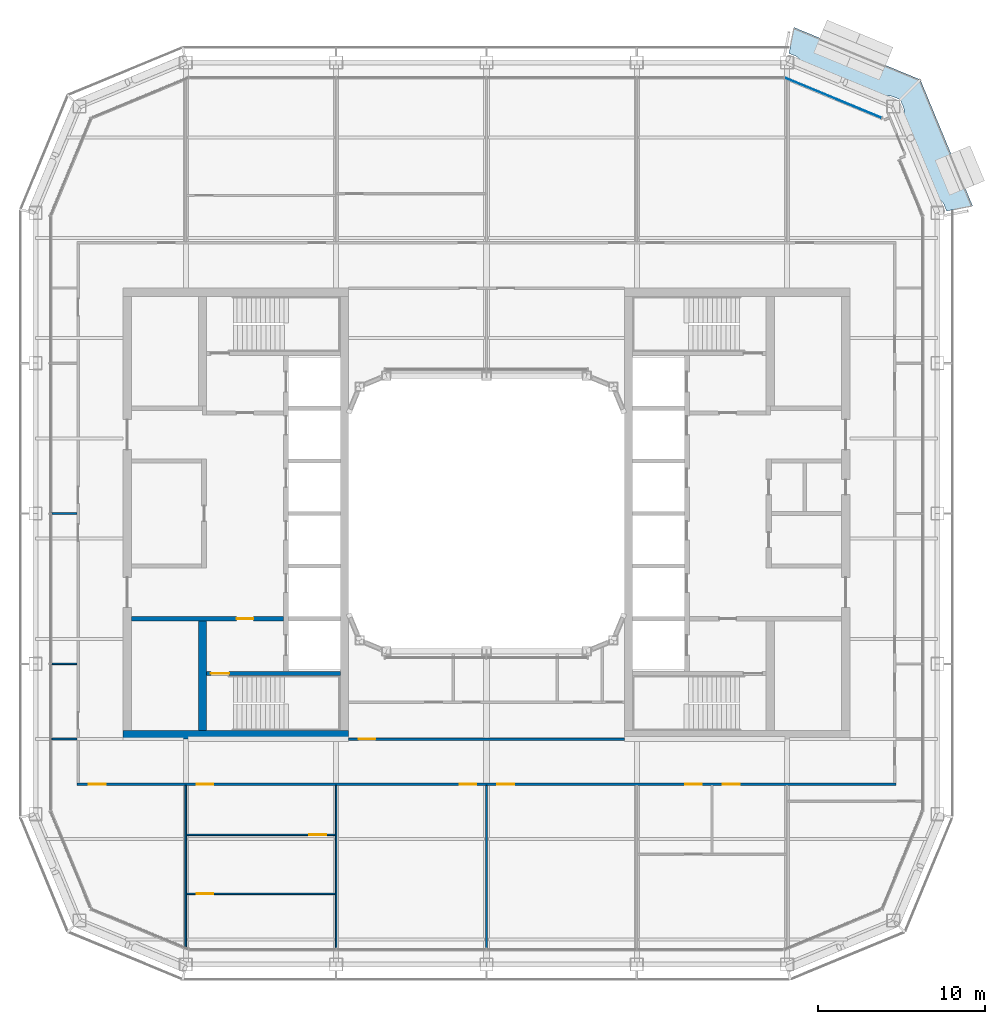
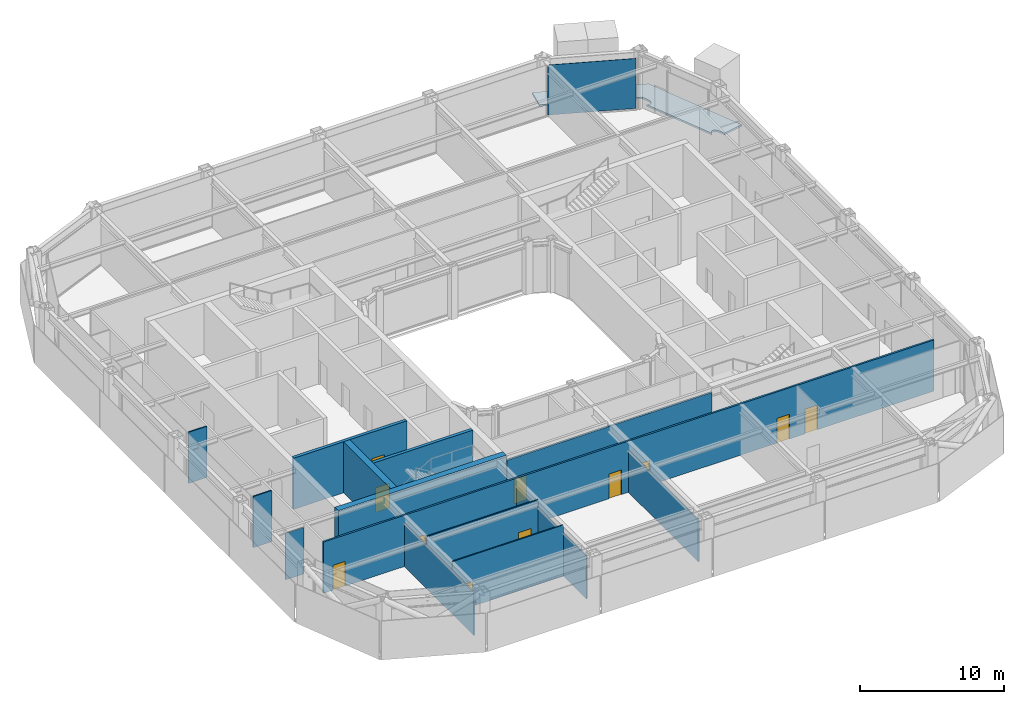
# One storey, part 12 of 23: 14 walls, 11 doors, 1 plate, 1 slab, 11 openings, 1 element without a shape of its own.
"""IFC4 building model written with IfcOpenShell, lengths in metres."""

from ifc_helpers import new_model, si_unit, direction, frame, frame_2d, origin, origin_2d, place, context, subcontext, project, spatial, polyline, rectangle, outline, extrude, material, layer, layer_set, type_object, element, fill, aggregate, save


model = new_model("IFC4")

# Units and contexts
model_context = context("Model", 3, precision=1e-05, world=origin(), true_north=direction((0.0, 1.0)))
body_context = subcontext(model_context, "Body", "Model", "MODEL_VIEW")
ifc_project = project(units=[si_unit("LENGTHUNIT", "METRE"), si_unit("AREAUNIT", "SQUARE_METRE"), si_unit("VOLUMEUNIT", "CUBIC_METRE"), si_unit("PLANEANGLEUNIT", "RADIAN"), si_unit("MASSUNIT", "GRAM", prefix="KILO")], contexts=[model_context])

# Site, building, storey
site_placement = place(None, origin())
site = spatial("IfcSite", under=ifc_project, at=site_placement, CompositionType="ELEMENT")
building_placement = place(site_placement, origin())
building = spatial("IfcBuilding", under=site, at=building_placement, Name="Siwar Civic Tower", CompositionType="ELEMENT")
storey_placement = place(building_placement, frame((0.0, 0.0, 260.199951171875)))
storey = spatial("IfcBuildingStorey", under=building, at=storey_placement, Name="L56", CompositionType="ELEMENT", Elevation=260.199951171875)

# Slab
ifc_material_1 = material(Name="Concrete C40/50", Category="concrete")
ifc_layer_1 = layer(ifc_material_1, 0.14990234375)
ifc_layer_set_1 = layer_set([ifc_layer_1], Name="Concrete C40/50")
slab_type = type_object("IfcSlabType", Name="ENV-BALCONY DECK 150", PredefinedType="FLOOR", material=ifc_layer_set_1)
slab_placement = place(storey_placement, frame((0.0, 0.0, -0.1494140625)))
element("IfcSlab", 1, at=slab_placement, inside=storey, type_object=slab_type, Name="Tree balcony deck NE", PredefinedType="FLOOR", context=body_context, shape_type="SweptSolid", body=[
    extrude(outline(polyline([(24.82080078125, 24.657470703125), (24.82080078125, 24.657470703125), (24.82421875, 24.649658203125), (24.924560546875, 24.40869140625), (24.94384765625, 24.362060546875), (24.94482421875, 24.35986328125), (24.96533203125, 24.305419921875), (24.967041015625, 24.300537109375), (24.98388671875, 24.244873046875), (24.985595703125, 24.238037109375), (24.99560546875, 24.189208984375), (24.99658203125, 24.183837890625), (25.002685546875, 24.13427734375), (25.003173828125, 24.12890625), (25.006103515625, 24.0791015625), (25.006103515625, 24.073974609375), (25.005615234375, 24.024169921875), (25.00537109375, 24.0185546875), (25.004638671875, 24.0126953125), (24.99755859375, 23.970947265625), (24.995849609375, 23.96337890625), (24.993408203125, 23.9560546875), (24.98046875, 23.922607421875), (24.978271484375, 23.91748046875), (24.962646484375, 23.88525390625), (24.96044921875, 23.880615234375), (24.942626953125, 23.849365234375), (24.93896484375, 23.84326171875), (24.9345703125, 23.837646484375), (24.9296875, 23.83251953125), (24.906982421875, 23.810546875), (24.900634765625, 23.804931640625), (24.8935546875, 23.80029296875), (24.885986328125, 23.796142578125), (24.85888671875, 23.78369140625), (24.85400390625, 23.78173828125), (24.826171875, 23.771240234375), (24.818115234375, 23.768798828125), (24.8095703125, 23.76708984375), (24.80126953125, 23.7666015625), (24.769775390625, 23.765869140625), (24.762451171875, 23.76611328125), (24.75537109375, 23.766845703125), (24.74853515625, 23.7685546875), (24.7138671875, 23.77783203125), (24.708984375, 23.779541015625), (24.675048828125, 23.791259765625), (24.669921875, 23.793212890625), (24.636962890625, 23.8076171875), (24.630126953125, 23.81103515625), (24.62353515625, 23.815185546875), (24.5888671875, 23.839599609375), (24.58447265625, 23.84326171875), (24.580078125, 23.846923828125), (24.57666015625, 23.85009765625), (26.77978515625, 18.531494140625), (26.7802734375, 18.5654296875), (26.780517578125, 18.5712890625), (26.78125, 18.576904296875), (26.788330078125, 18.61865234375), (26.789794921875, 18.626220703125), (26.792236328125, 18.633544921875), (26.805419921875, 18.6669921875), (26.8076171875, 18.672119140625), (26.822998046875, 18.70458984375), (26.825439453125, 18.709228515625), (26.84326171875, 18.740234375), (26.846923828125, 18.746337890625), (26.851318359375, 18.751953125), (26.856201171875, 18.75732421875), (26.87890625, 18.779052734375), (26.88525390625, 18.78466796875), (26.892333984375, 18.78955078125), (26.899658203125, 18.79345703125), (26.927001953125, 18.805908203125), (26.931884765625, 18.80810546875), (26.959716796875, 18.818603515625), (26.9677734375, 18.821044921875), (26.97607421875, 18.82275390625), (26.984619140625, 18.8232421875), (27.01611328125, 18.823974609375), (27.023193359375, 18.82373046875), (27.0302734375, 18.82275390625), (27.037353515625, 18.8212890625), (27.072021484375, 18.811767578125), (27.076904296875, 18.810302734375), (27.11083984375, 18.79833984375), (27.115966796875, 18.79638671875), (27.14892578125, 18.7822265625), (27.15576171875, 18.77880859375), (27.162353515625, 18.774658203125), (27.197021484375, 18.75), (27.201416015625, 18.74658203125), (27.205810546875, 18.74267578125), (27.241455078125, 18.7080078125), (27.2451171875, 18.704345703125), (27.278564453125, 18.667236328125), (27.281982421875, 18.663330078125), (27.312744140625, 18.623779296875), (27.31591796875, 18.619384765625), (27.343505859375, 18.577880859375), (27.34716796875, 18.57177734375), (27.374755859375, 18.520751953125), (27.377197265625, 18.51611328125), (27.4013671875, 18.463134765625), (27.40234375, 18.4609375), (27.405517578125, 18.453125), (27.425048828125, 18.406494140625), (27.522216796875, 18.17333984375), (27.525390625, 18.16552734375), (27.525390625, 18.16552734375), (27.52783203125, 18.15869140625), (27.533935546875, 18.13916015625), (27.53564453125, 18.13232421875), (27.53662109375, 18.12548828125), (27.538818359375, 18.107177734375), (29.10009765625, 18.417724609375), (25.97119140625, 25.97119140625), (18.417724609375, 29.10009765625), (18.106689453125, 27.5361328125), (18.107421875, 27.5361328125), (18.1240234375, 27.535400390625), (18.1328125, 27.53466796875), (18.141357421875, 27.53271484375), (18.156982421875, 27.5283203125), (18.16552734375, 27.525390625), (18.170166015625, 27.5234375), (18.17333984375, 27.522216796875), (18.18896484375, 27.515625), (18.227783203125, 27.49951171875), (18.240234375, 27.494140625), (18.406494140625, 27.425048828125), (18.453125, 27.405517578125), (18.4609375, 27.40234375), (18.463134765625, 27.4013671875), (18.51611328125, 27.377197265625), (18.520751953125, 27.374755859375), (18.57177734375, 27.34716796875), (18.577880859375, 27.343505859375), (18.619384765625, 27.31591796875), (18.623779296875, 27.312744140625), (18.663330078125, 27.281982421875), (18.667236328125, 27.278564453125), (18.704345703125, 27.2451171875), (18.7080078125, 27.241455078125), (18.74267578125, 27.205810546875), (18.74658203125, 27.201416015625), (18.75, 27.197021484375), (18.774658203125, 27.162353515625), (18.77880859375, 27.15576171875), (18.7822265625, 27.14892578125), (18.79638671875, 27.115966796875), (18.79833984375, 27.11083984375), (18.810302734375, 27.076904296875), (18.811767578125, 27.072021484375), (18.8212890625, 27.037353515625), (18.82275390625, 27.0302734375), (18.82373046875, 27.023193359375), (18.823974609375, 27.01611328125), (18.8232421875, 26.984619140625), (18.82275390625, 26.97607421875), (18.821044921875, 26.9677734375), (18.818603515625, 26.959716796875), (18.80810546875, 26.931884765625), (18.805908203125, 26.927001953125), (18.79345703125, 26.899658203125), (18.78955078125, 26.892333984375), (18.78466796875, 26.88525390625), (18.779052734375, 26.87890625), (18.75732421875, 26.856201171875), (18.751953125, 26.851318359375), (18.746337890625, 26.846923828125), (18.740234375, 26.84326171875), (18.709228515625, 26.825439453125), (18.70458984375, 26.822998046875), (18.672119140625, 26.8076171875), (18.6669921875, 26.805419921875), (18.633544921875, 26.792236328125), (18.626220703125, 26.789794921875), (18.61865234375, 26.788330078125), (18.576904296875, 26.78125), (18.5712890625, 26.780517578125), (18.5654296875, 26.7802734375), (18.531494140625, 26.77978515625), (23.85009765625, 24.57666015625), (23.846923828125, 24.580078125), (23.84326171875, 24.58447265625), (23.839599609375, 24.5888671875), (23.815185546875, 24.62353515625), (23.81103515625, 24.630126953125), (23.8076171875, 24.636962890625), (23.793212890625, 24.669921875), (23.791259765625, 24.675048828125), (23.779541015625, 24.708984375), (23.77783203125, 24.7138671875), (23.7685546875, 24.74853515625), (23.766845703125, 24.75537109375), (23.76611328125, 24.762451171875), (23.765869140625, 24.769775390625), (23.7666015625, 24.80126953125), (23.76708984375, 24.8095703125), (23.768798828125, 24.818115234375), (23.771240234375, 24.826171875), (23.78173828125, 24.85400390625), (23.78369140625, 24.85888671875), (23.796142578125, 24.885986328125), (23.80029296875, 24.8935546875), (23.804931640625, 24.900634765625), (23.810546875, 24.906982421875), (23.83251953125, 24.9296875), (23.837646484375, 24.9345703125), (23.84326171875, 24.93896484375), (23.849365234375, 24.942626953125), (23.880615234375, 24.96044921875), (23.88525390625, 24.962646484375), (23.91748046875, 24.978271484375), (23.922607421875, 24.98046875), (23.9560546875, 24.993408203125), (23.96337890625, 24.995849609375), (23.970947265625, 24.99755859375), (24.0126953125, 25.004638671875), (24.0185546875, 25.00537109375), (24.024169921875, 25.005615234375), (24.073974609375, 25.006103515625), (24.0791015625, 25.006103515625), (24.12890625, 25.003173828125), (24.13427734375, 25.002685546875), (24.183837890625, 24.99658203125), (24.189208984375, 24.99560546875), (24.238037109375, 24.985595703125), (24.244873046875, 24.98388671875), (24.300537109375, 24.967041015625), (24.305419921875, 24.96533203125), (24.35986328125, 24.94482421875), (24.362060546875, 24.94384765625), (24.40869140625, 24.924560546875), (24.649658203125, 24.82421875), (24.657470703125, 24.82080078125), (24.66552734375, 24.81689453125), (24.6796875, 24.808837890625), (24.68701171875, 24.80419921875), (24.693603515625, 24.798583984375), (24.7060546875, 24.787109375), (24.71142578125, 24.78173828125), (24.71142578125, 24.78173828125), (24.71142578125, 24.781494140625), (24.712158203125, 24.78076171875), (24.718505859375, 24.77783203125), (24.724853515625, 24.774169921875), (24.730712890625, 24.77001953125), (24.73828125, 24.763916015625), (24.763916015625, 24.763916015625), (24.763916015625, 24.741455078125), (24.778564453125, 24.72607421875), (24.785400390625, 24.7177734375), (24.801025390625, 24.695556640625), (24.806640625, 24.686279296875), (24.818603515625, 24.662353515625), (24.82080078125, 24.657470703125), (24.82080078125, 24.657470703125), (24.82080078125, 24.657470703125), (24.82080078125, 24.657470703125)])), origin(), (0.0, 0.0, 1.0), 0.1494140625),
])

# Curtain wall, plate
ifc_material_2 = material(Name="Aluminium clad insulated panel", Category="aluminium")
ifc_layer_2 = layer(ifc_material_2, 0.179931640625)
ifc_layer_set_2 = layer_set([ifc_layer_2], Name="Aluminium clad insulated panel")
curtain_wall_type = type_object("IfcCurtainWallType", Name="ENV-CW-CX", PredefinedType="NOTDEFINED", material=ifc_layer_set_2)
curtain_wall_placement = place(storey_placement, origin())
curtain_wall = element("IfcCurtainWall", 2, at=curtain_wall_placement, inside=storey, type_object=curtain_wall_type, Name="Curtain wall C NE2", PredefinedType="NOTDEFINED")
ifc_material_3 = material(Name="Aluminium clad insulated panel", Category="aluminium")
ifc_layer_3 = layer(ifc_material_3, 0.031982421875)
ifc_layer_set_3 = layer_set([ifc_layer_3], Name="Aluminium clad insulated panel")
plate_type = type_object("IfcPlateType", Name="ENV-PANEL-CX", PredefinedType="CURTAIN_PANEL", material=ifc_layer_set_3)
plate_placement = place(storey_placement, frame((20.78271484375, 24.873291015625, 0.10009765625), z_axis=(0.0, 0.0, 1.0), x_axis=(-0.923879532511, 0.382683432365, 0.0)))
plate = element("IfcPlate", 3, at=plate_placement, type_object=plate_type, Name="Curtain panel C NE2 1", PredefinedType="CURTAIN_PANEL", context=body_context, shape_type="SweptSolid", body=[
    extrude(rectangle(XDim=6.20166015625, YDim=0.031982421875, at=origin_2d()), origin(), (0.0, 0.0, 1.0), 4.25),
])
aggregate(curtain_wall, [plate])

# Wall, opening, door
ifc_material_4 = material(Name="Concrete C60/75", Category="concrete")
ifc_layer_4 = layer(ifc_material_4, 0.25)
ifc_layer_set_4 = layer_set([ifc_layer_4], Name="Concrete C60/75")
wall_type_1 = type_object("IfcWallType", Name="CORE-WALL-RC250", PredefinedType="SHEAR", material=ifc_layer_set_4)
wall_1_placement = place(storey_placement, frame((-12.14990234375, -6.300048828125, 0.0), z_axis=(0.0, 0.0, 1.0), x_axis=(-1.0, 0.0, 0.0)))
wall_1 = element("IfcWall", 4, at=wall_1_placement, inside=storey, type_object=wall_type_1, Name="Core wall W", PredefinedType="SHEAR", context=body_context, shape_type="SweptSolid", body=[
    extrude(rectangle(XDim=9.10009765625, YDim=0.25, at=frame_2d((4.550048828125, 0.0))), origin(), (0.0, 0.0, 1.0), 4.35009765625),
])
opening_1_placement = place(wall_1_placement, frame((1.800048828125, 0.0, 0.0)))
opening_1 = element("IfcOpeningElement", 5, at=opening_1_placement, cuts=wall_1, Name="Opening L56-CW02", PredefinedType="OPENING", context=body_context, shape_type="SweptSolid", body=[
    extrude(rectangle(XDim=1.0, YDim=2.10009765625, at=frame_2d((0.5, 1.050048828125))), frame((0.0, 0.135009765625, 0.0), z_axis=(0.0, -1.0, 0.0), x_axis=(1.0, 0.0, 0.0)), (0.0, 0.0, 1.0), 0.27001953125),
])
ifc_material_5 = material(Name="Steel door leaf", Category="steel")
door_type_1 = type_object("IfcDoorType", Name="CORE-DOOR-FD30S", OperationType="SINGLE_SWING_LEFT", PredefinedType="DOOR", material=ifc_material_5)
door_1_placement = place(opening_1_placement, origin())
door_1 = element("IfcDoor", 6, at=door_1_placement, inside=storey, type_object=door_type_1, Name="Service lobby door L56-CW02", OperationType="SINGLE_SWING_RIGHT", OverallHeight=2.10009765625, OverallWidth=1.0, PredefinedType="DOOR", context=body_context, shape_type="SweptSolid", body=[
    extrude(rectangle(XDim=1.0, YDim=2.10009765625, at=frame_2d((0.5, 1.050048828125))), frame((0.0, 0.02490234375, 0.0), z_axis=(0.0, -1.0, 0.0), x_axis=(1.0, 0.0, 0.0)), (0.0, 0.0, 1.0), 0.050048828125),
])
fill(opening_1, door_1)

wall_2_placement = place(storey_placement, frame((-8.75, -9.574951171875, 0.0), z_axis=(0.0, 0.0, 1.0), x_axis=(-1.0, 0.0, 0.0)))
wall_2 = element("IfcWall", 7, at=wall_2_placement, inside=storey, type_object=wall_type_1, Name="Core wall W", PredefinedType="SHEAR", context=body_context, shape_type="SweptSolid", body=[
    extrude(rectangle(XDim=8.0, YDim=0.25, at=frame_2d((4.0, 0.0))), origin(), (0.0, 0.0, 1.0), 4.35009765625),
])
opening_2_placement = place(wall_2_placement, frame((6.64990234375, 0.0, 0.0)))
opening_2 = element("IfcOpeningElement", 8, at=opening_2_placement, cuts=wall_2, Name="Opening L56-CW04", PredefinedType="OPENING", context=body_context, shape_type="SweptSolid", body=[
    extrude(rectangle(XDim=1.10009765625, YDim=2.10009765625, at=frame_2d((0.550048828125, 1.050048828125))), frame((0.0, 0.135009765625, 0.0), z_axis=(0.0, -1.0, 0.0), x_axis=(1.0, 0.0, 0.0)), (0.0, 0.0, 1.0), 0.27001953125),
])
ifc_material_6 = material(Name="Steel door leaf", Category="steel")
door_type_2 = type_object("IfcDoorType", Name="CORE-DOOR-FD60S", OperationType="SINGLE_SWING_LEFT", PredefinedType="DOOR", material=ifc_material_6)
door_2_placement = place(opening_2_placement, origin())
door_2 = element("IfcDoor", 9, at=door_2_placement, inside=storey, type_object=door_type_2, Name="Stair door L56-CW04", OperationType="SINGLE_SWING_LEFT", OverallHeight=2.10009765625, OverallWidth=1.10009765625, PredefinedType="DOOR", context=body_context, shape_type="SweptSolid", body=[
    extrude(rectangle(XDim=1.10009765625, YDim=2.10009765625, at=frame_2d((0.550048828125, 1.050048828125))), frame((0.0, 0.02490234375, 0.0), z_axis=(0.0, -1.0, 0.0), x_axis=(1.0, 0.0, 0.0)), (0.0, 0.0, 1.0), 0.050048828125),
])
fill(opening_2, door_2)

# Walls
ifc_material_7 = material(Name="Concrete C60/75", Category="concrete")
ifc_layer_5 = layer(ifc_material_7, 0.5)
ifc_layer_set_5 = layer_set([ifc_layer_5], Name="Concrete C60/75")
wall_type_2 = type_object("IfcWallType", Name="CORE-WALL-RC500", PredefinedType="SHEAR", material=ifc_layer_set_5)
wall_3_placement = place(storey_placement, frame((-17.0, -13.0, 0.0), z_axis=(0.0, 0.0, 1.0), x_axis=(0.0, 1.0, 0.0)))
element("IfcWall", 10, at=wall_3_placement, inside=storey, type_object=wall_type_2, Name="Core wall W", PredefinedType="SHEAR", context=body_context, shape_type="SweptSolid", body=[
    extrude(rectangle(XDim=6.574951171875, YDim=0.5, at=frame_2d((3.28759765625, 0.0))), origin(), (0.0, 0.0, 1.0), 4.35009765625),
])
wall_4_placement = place(storey_placement, frame((-8.25, -13.25, 0.0), z_axis=(0.0, 0.0, 1.0), x_axis=(-1.0, 0.0, 0.0)))
element("IfcWall", 11, at=wall_4_placement, inside=storey, type_object=wall_type_2, Name="Core wall W", PredefinedType="SHEAR", context=body_context, shape_type="SweptSolid", body=[
    extrude(rectangle(XDim=13.5, YDim=0.5, at=frame_2d((6.75, 0.0))), origin(), (0.0, 0.0, 1.0), 4.35009765625),
])

# Wall, openings, doors
ifc_material_8 = material(Name="Gypsum board on steel studs", Category="steel")
ifc_layer_6 = layer(ifc_material_8, 0.14990234375)
ifc_layer_set_6 = layer_set([ifc_layer_6], Name="Gypsum board on steel studs")
wall_type_3 = type_object("IfcWallType", Name="CORRIDOR PARTITION 150 EI 30", PredefinedType="PARTITIONING", material=ifc_layer_set_6)
wall_5_placement = place(storey_placement, frame((-24.52490234375, -16.199951171875, 0.0), z_axis=(0.0, 0.0, 1.0), x_axis=(1.0, 0.0, 0.0)))
wall_5 = element("IfcWall", 12, at=wall_5_placement, inside=storey, type_object=wall_type_3, Name="L56/wall/P05", PredefinedType="PARTITIONING", context=body_context, shape_type="SweptSolid", body=[
    extrude(rectangle(XDim=49.0498046875, YDim=0.14990234375, at=frame_2d((24.52490234375, 0.0))), origin(), (0.0, 0.0, 1.0), 4.35009765625),
])
opening_3_placement = place(wall_5_placement, frame((7.175048828125, 0.0, 0.0)))
opening_3 = element("IfcOpeningElement", 13, at=opening_3_placement, cuts=wall_5, Name="Opening D1", PredefinedType="OPENING", context=body_context, shape_type="SweptSolid", body=[
    extrude(rectangle(XDim=1.0, YDim=2.10009765625, at=frame_2d((0.5, 1.050048828125))), frame((0.0, 0.0849609375, 0.0), z_axis=(0.0, -1.0, 0.0), x_axis=(1.0, 0.0, 0.0)), (0.0, 0.0, 1.0), 0.169921875),
])
opening_4_placement = place(wall_5_placement, frame((22.925048828125, 0.0, 0.0)))
opening_4 = element("IfcOpeningElement", 14, at=opening_4_placement, cuts=wall_5, Name="Opening D1", PredefinedType="OPENING", context=body_context, shape_type="SweptSolid", body=[
    extrude(rectangle(XDim=1.0, YDim=2.10009765625, at=frame_2d((0.5, 1.050048828125))), frame((0.0, 0.0849609375, 0.0), z_axis=(0.0, -1.0, 0.0), x_axis=(1.0, 0.0, 0.0)), (0.0, 0.0, 1.0), 0.169921875),
])
opening_5_placement = place(wall_5_placement, frame((25.175048828125, 0.0, 0.0)))
opening_5 = element("IfcOpeningElement", 15, at=opening_5_placement, cuts=wall_5, Name="Opening D1", PredefinedType="OPENING", context=body_context, shape_type="SweptSolid", body=[
    extrude(rectangle(XDim=1.0, YDim=2.10009765625, at=frame_2d((0.5, 1.050048828125))), frame((0.0, 0.0849609375, 0.0), z_axis=(0.0, -1.0, 0.0), x_axis=(1.0, 0.0, 0.0)), (0.0, 0.0, 1.0), 0.169921875),
])
opening_6_placement = place(wall_5_placement, frame((36.425048828125, 0.0, 0.0)))
opening_6 = element("IfcOpeningElement", 16, at=opening_6_placement, cuts=wall_5, Name="Opening D1", PredefinedType="OPENING", context=body_context, shape_type="SweptSolid", body=[
    extrude(rectangle(XDim=1.0, YDim=2.10009765625, at=frame_2d((0.5, 1.050048828125))), frame((0.0, 0.0849609375, 0.0), z_axis=(0.0, -1.0, 0.0), x_axis=(1.0, 0.0, 0.0)), (0.0, 0.0, 1.0), 0.169921875),
])
opening_7_placement = place(wall_5_placement, frame((38.675048828125, 0.0, 0.0)))
opening_7 = element("IfcOpeningElement", 17, at=opening_7_placement, cuts=wall_5, Name="Opening D1", PredefinedType="OPENING", context=body_context, shape_type="SweptSolid", body=[
    extrude(rectangle(XDim=1.0, YDim=2.10009765625, at=frame_2d((0.5, 1.050048828125))), frame((0.0, 0.0849609375, 0.0), z_axis=(0.0, -1.0, 0.0), x_axis=(1.0, 0.0, 0.0)), (0.0, 0.0, 1.0), 0.169921875),
])
opening_8_placement = place(wall_5_placement, frame((0.72509765625, 0.0, 0.0)))
opening_8 = element("IfcOpeningElement", 18, at=opening_8_placement, cuts=wall_5, Name="Opening D1", PredefinedType="OPENING", context=body_context, shape_type="SweptSolid", body=[
    extrude(rectangle(XDim=1.0, YDim=2.10009765625, at=frame_2d((0.5, 1.050048828125))), frame((0.0, 0.0849609375, 0.0), z_axis=(0.0, -1.0, 0.0), x_axis=(1.0, 0.0, 0.0)), (0.0, 0.0, 1.0), 0.169921875),
])
ifc_material_9 = material(Name="Timber, painted", Category="wood")
door_type_3 = type_object("IfcDoorType", Name="DOOR 1000 X 2100 FD30", OperationType="SINGLE_SWING_LEFT", PredefinedType="DOOR", material=ifc_material_9)
door_3_placement = place(opening_3_placement, origin())
door_3 = element("IfcDoor", 19, at=door_3_placement, inside=storey, type_object=door_type_3, Name="L56-D07", OperationType="SINGLE_SWING_LEFT", OverallHeight=2.10009765625, OverallWidth=1.0, PredefinedType="DOOR", context=body_context, shape_type="SweptSolid", body=[
    extrude(rectangle(XDim=1.0, YDim=2.10009765625, at=frame_2d((0.5, 1.050048828125))), frame((0.0, 0.02490234375, 0.0), z_axis=(0.0, -1.0, 0.0), x_axis=(1.0, 0.0, 0.0)), (0.0, 0.0, 1.0), 0.050048828125),
])
fill(opening_3, door_3)
door_4_placement = place(opening_4_placement, origin())
door_4 = element("IfcDoor", 20, at=door_4_placement, inside=storey, type_object=door_type_3, Name="L56-D10", OperationType="SINGLE_SWING_RIGHT", OverallHeight=2.10009765625, OverallWidth=1.0, PredefinedType="DOOR", context=body_context, shape_type="SweptSolid", body=[
    extrude(rectangle(XDim=1.0, YDim=2.10009765625, at=frame_2d((0.5, 1.050048828125))), frame((0.0, 0.02490234375, 0.0), z_axis=(0.0, -1.0, 0.0), x_axis=(1.0, 0.0, 0.0)), (0.0, 0.0, 1.0), 0.050048828125),
])
fill(opening_4, door_4)
door_5_placement = place(opening_5_placement, origin())
door_5 = element("IfcDoor", 21, at=door_5_placement, inside=storey, type_object=door_type_3, Name="L56-D11", OperationType="SINGLE_SWING_LEFT", OverallHeight=2.10009765625, OverallWidth=1.0, PredefinedType="DOOR", context=body_context, shape_type="SweptSolid", body=[
    extrude(rectangle(XDim=1.0, YDim=2.10009765625, at=frame_2d((0.5, 1.050048828125))), frame((0.0, 0.02490234375, 0.0), z_axis=(0.0, -1.0, 0.0), x_axis=(1.0, 0.0, 0.0)), (0.0, 0.0, 1.0), 0.050048828125),
])
fill(opening_5, door_5)
door_6_placement = place(opening_6_placement, origin())
door_6 = element("IfcDoor", 22, at=door_6_placement, inside=storey, type_object=door_type_3, Name="L56-D12", OperationType="SINGLE_SWING_RIGHT", OverallHeight=2.10009765625, OverallWidth=1.0, PredefinedType="DOOR", context=body_context, shape_type="SweptSolid", body=[
    extrude(rectangle(XDim=1.0, YDim=2.10009765625, at=frame_2d((0.5, 1.050048828125))), frame((0.0, 0.02490234375, 0.0), z_axis=(0.0, -1.0, 0.0), x_axis=(1.0, 0.0, 0.0)), (0.0, 0.0, 1.0), 0.050048828125),
])
fill(opening_6, door_6)
door_7_placement = place(opening_7_placement, origin())
door_7 = element("IfcDoor", 23, at=door_7_placement, inside=storey, type_object=door_type_3, Name="L56-D13", OperationType="SINGLE_SWING_LEFT", OverallHeight=2.10009765625, OverallWidth=1.0, PredefinedType="DOOR", context=body_context, shape_type="SweptSolid", body=[
    extrude(rectangle(XDim=1.0, YDim=2.10009765625, at=frame_2d((0.5, 1.050048828125))), frame((0.0, 0.02490234375, 0.0), z_axis=(0.0, -1.0, 0.0), x_axis=(1.0, 0.0, 0.0)), (0.0, 0.0, 1.0), 0.050048828125),
])
fill(opening_7, door_7)
door_8_placement = place(opening_8_placement, origin())
door_8 = element("IfcDoor", 24, at=door_8_placement, inside=storey, type_object=door_type_3, Name="L56-D17", OperationType="SINGLE_SWING_LEFT", OverallHeight=2.10009765625, OverallWidth=1.0, PredefinedType="DOOR", context=body_context, shape_type="SweptSolid", body=[
    extrude(rectangle(XDim=1.0, YDim=2.10009765625, at=frame_2d((0.5, 1.050048828125))), frame((0.0, 0.02490234375, 0.0), z_axis=(0.0, -1.0, 0.0), x_axis=(1.0, 0.0, 0.0)), (0.0, 0.0, 1.0), 0.050048828125),
])
fill(opening_8, door_8)

# Wall, opening, door
wall_6_placement = place(storey_placement, frame((-8.25, -13.5, 0.0), z_axis=(0.0, 0.0, 1.0), x_axis=(1.0, 0.0, 0.0)))
wall_6 = element("IfcWall", 25, at=wall_6_placement, inside=storey, type_object=wall_type_3, Name="L56/wall/P08", PredefinedType="PARTITIONING", context=body_context, shape_type="SweptSolid", body=[
    extrude(rectangle(XDim=16.5, YDim=0.14990234375, at=frame_2d((8.25, 0.0))), origin(), (0.0, 0.0, 1.0), 3.949951171875),
])
opening_9_placement = place(wall_6_placement, frame((0.60009765625, 0.0, 0.0)))
opening_9 = element("IfcOpeningElement", 26, at=opening_9_placement, cuts=wall_6, Name="Opening D1", PredefinedType="OPENING", context=body_context, shape_type="SweptSolid", body=[
    extrude(rectangle(XDim=1.0, YDim=2.10009765625, at=frame_2d((0.5, 1.050048828125))), frame((0.0, 0.0849609375, 0.0), z_axis=(0.0, -1.0, 0.0), x_axis=(1.0, 0.0, 0.0)), (0.0, 0.0, 1.0), 0.169921875),
])
door_9_placement = place(opening_9_placement, origin())
door_9 = element("IfcDoor", 27, at=door_9_placement, inside=storey, type_object=door_type_3, Name="L56-D30", OperationType="SINGLE_SWING_RIGHT", OverallHeight=2.10009765625, OverallWidth=1.0, PredefinedType="DOOR", context=body_context, shape_type="SweptSolid", body=[
    extrude(rectangle(XDim=1.0, YDim=2.10009765625, at=frame_2d((0.5, 1.050048828125))), frame((0.0, 0.02490234375, 0.0), z_axis=(0.0, -1.0, 0.0), x_axis=(1.0, 0.0, 0.0)), (0.0, 0.0, 1.0), 0.050048828125),
])
fill(opening_9, door_9)

ifc_material_10 = material(Name="Gypsum board on steel studs", Category="steel")
ifc_layer_7 = layer(ifc_material_10, 0.10009765625)
ifc_layer_set_7 = layer_set([ifc_layer_7], Name="Gypsum board on steel studs")
wall_type_4 = type_object("IfcWallType", Name="PARTITION 100 GYPSUM", PredefinedType="PARTITIONING", material=ifc_layer_set_7)
wall_7_placement = place(storey_placement, frame((-17.949951171875, -22.77294921875, 0.0), z_axis=(0.0, 0.0, 1.0), x_axis=(1.0, 0.0, 0.0)))
wall_7 = element("IfcWall", 28, at=wall_7_placement, inside=storey, type_object=wall_type_4, Name="L56/wall/P01", PredefinedType="PARTITIONING", context=body_context, shape_type="SweptSolid", body=[
    extrude(rectangle(XDim=8.89990234375, YDim=0.10009765625, at=frame_2d((4.449951171875, 0.0))), origin(), (0.0, 0.0, 1.0), 4.35009765625),
])
opening_10_placement = place(wall_7_placement, frame((0.60009765625, 0.0, 0.0)))
opening_10 = element("IfcOpeningElement", 29, at=opening_10_placement, cuts=wall_7, Name="Opening D2", PredefinedType="OPENING", context=body_context, shape_type="SweptSolid", body=[
    extrude(rectangle(XDim=1.0, YDim=2.10009765625, at=frame_2d((0.5, 1.050048828125))), frame((0.0, 0.06005859375, 0.0), z_axis=(0.0, -1.0, 0.0), x_axis=(1.0, 0.0, 0.0)), (0.0, 0.0, 1.0), 0.1201171875),
])
ifc_material_11 = material(Name="Timber, painted", Category="wood")
door_type_4 = type_object("IfcDoorType", Name="DOOR 1000 X 2100", OperationType="SINGLE_SWING_LEFT", PredefinedType="DOOR", material=ifc_material_11)
door_10_placement = place(opening_10_placement, origin())
door_10 = element("IfcDoor", 30, at=door_10_placement, inside=storey, type_object=door_type_4, Name="L56-D09", OperationType="SINGLE_SWING_LEFT", OverallHeight=2.10009765625, OverallWidth=1.0, PredefinedType="DOOR", context=body_context, shape_type="SweptSolid", body=[
    extrude(rectangle(XDim=1.0, YDim=2.10009765625, at=frame_2d((0.5, 1.050048828125))), frame((0.0, 0.02490234375, 0.0), z_axis=(0.0, -1.0, 0.0), x_axis=(1.0, 0.0, 0.0)), (0.0, 0.0, 1.0), 0.050048828125),
])
fill(opening_10, door_10)

wall_8_placement = place(storey_placement, frame((-17.949951171875, -19.240966796875, 0.0), z_axis=(0.0, 0.0, 1.0), x_axis=(1.0, 0.0, 0.0)))
wall_8 = element("IfcWall", 31, at=wall_8_placement, inside=storey, type_object=wall_type_4, Name="L56/wall/P03", PredefinedType="PARTITIONING", context=body_context, shape_type="SweptSolid", body=[
    extrude(rectangle(XDim=8.89990234375, YDim=0.10009765625, at=frame_2d((4.449951171875, 0.0))), origin(), (0.0, 0.0, 1.0), 4.35009765625),
])
opening_11_placement = place(wall_8_placement, frame((7.35009765625, 0.0, 0.0)))
opening_11 = element("IfcOpeningElement", 32, at=opening_11_placement, cuts=wall_8, Name="Opening D2", PredefinedType="OPENING", context=body_context, shape_type="SweptSolid", body=[
    extrude(rectangle(XDim=1.0, YDim=2.10009765625, at=frame_2d((0.5, 1.050048828125))), frame((0.0, 0.06005859375, 0.0), z_axis=(0.0, -1.0, 0.0), x_axis=(1.0, 0.0, 0.0)), (0.0, 0.0, 1.0), 0.1201171875),
])
door_11_placement = place(opening_11_placement, origin())
door_11 = element("IfcDoor", 33, at=door_11_placement, inside=storey, type_object=door_type_4, Name="L56-D08", OperationType="SINGLE_SWING_RIGHT", OverallHeight=2.10009765625, OverallWidth=1.0, PredefinedType="DOOR", context=body_context, shape_type="SweptSolid", body=[
    extrude(rectangle(XDim=1.0, YDim=2.10009765625, at=frame_2d((0.5, 1.050048828125))), frame((0.0, 0.02490234375, 0.0), z_axis=(0.0, -1.0, 0.0), x_axis=(1.0, 0.0, 0.0)), (0.0, 0.0, 1.0), 0.050048828125),
])
fill(opening_11, door_11)

# Walls
wall_9_placement = place(storey_placement, frame((-26.010009765625, -13.5, 0.0), z_axis=(0.0, 0.0, 1.0), x_axis=(1.0, 0.0, 0.0)))
element("IfcWall", 34, at=wall_9_placement, inside=storey, type_object=wall_type_4, Name="L56/wall/P06", PredefinedType="PARTITIONING", context=body_context, shape_type="SweptSolid", body=[
    extrude(rectangle(XDim=1.485107421875, YDim=0.10009765625, at=frame_2d((0.74267578125, 0.0))), origin(), (0.0, 0.0, 1.0), 3.949951171875),
])
for number, where, z_axis, x_axis, name in (
    (35, (-26.010009765625, -9.0, 0.0), (0.0, 0.0, 1.0), (1.0, 0.0, 0.0), "L56/wall/P11"),
    (36, (-26.010009765625, 0.0, 0.0), (0.0, 0.0, 1.0), (1.0, 0.0, 0.0), "L56/wall/P13"),
):
    element("IfcWall", number, at=place(storey_placement, frame(where, z_axis=z_axis, x_axis=x_axis)), inside=storey, type_object=wall_type_4, Name=name, PredefinedType="PARTITIONING", context=body_context, shape_type="SweptSolid", body=[
        extrude(rectangle(XDim=1.485107421875, YDim=0.10009765625, at=frame_2d((0.74267578125, 0.0))), origin(), (0.0, 0.0, 1.0), 4.35009765625),
    ])
wall_10_placement = place(storey_placement, frame((-18.0, -25.927978515625, 0.0), z_axis=(0.0, 0.0, 1.0), x_axis=(0.0, 1.0, 0.0)))
element("IfcWall", 37, at=wall_10_placement, inside=storey, type_object=wall_type_4, Name="L56/wall/P24", PredefinedType="PARTITIONING", context=body_context, shape_type="SweptSolid", body=[
    extrude(rectangle(XDim=9.653076171875, YDim=0.10009765625, at=frame_2d((4.82666015625, 0.0))), origin(), (0.0, 0.0, 1.0), 3.650146484375),
])
wall_11_placement = place(storey_placement, frame((-9.0, -26.010009765625, 0.0), z_axis=(0.0, 0.0, 1.0), x_axis=(0.0, 1.0, 0.0)))
element("IfcWall", 38, at=wall_11_placement, inside=storey, type_object=wall_type_4, Name="L56/wall/P26", PredefinedType="PARTITIONING", context=body_context, shape_type="SweptSolid", body=[
    extrude(rectangle(XDim=9.735107421875, YDim=0.10009765625, at=frame_2d((4.86767578125, 0.0))), origin(), (0.0, 0.0, 1.0), 3.650146484375),
])
wall_12_placement = place(storey_placement, frame((0.0, -26.010009765625, 0.0), z_axis=(0.0, 0.0, 1.0), x_axis=(0.0, 1.0, 0.0)))
element("IfcWall", 39, at=wall_12_placement, inside=storey, type_object=wall_type_4, Name="L56/wall/P29", PredefinedType="PARTITIONING", context=body_context, shape_type="SweptSolid", body=[
    extrude(rectangle(XDim=9.735107421875, YDim=0.10009765625, at=frame_2d((4.86767578125, 0.0))), origin(), (0.0, 0.0, 1.0), 3.550048828125),
])

save(model, "model.ifc")
